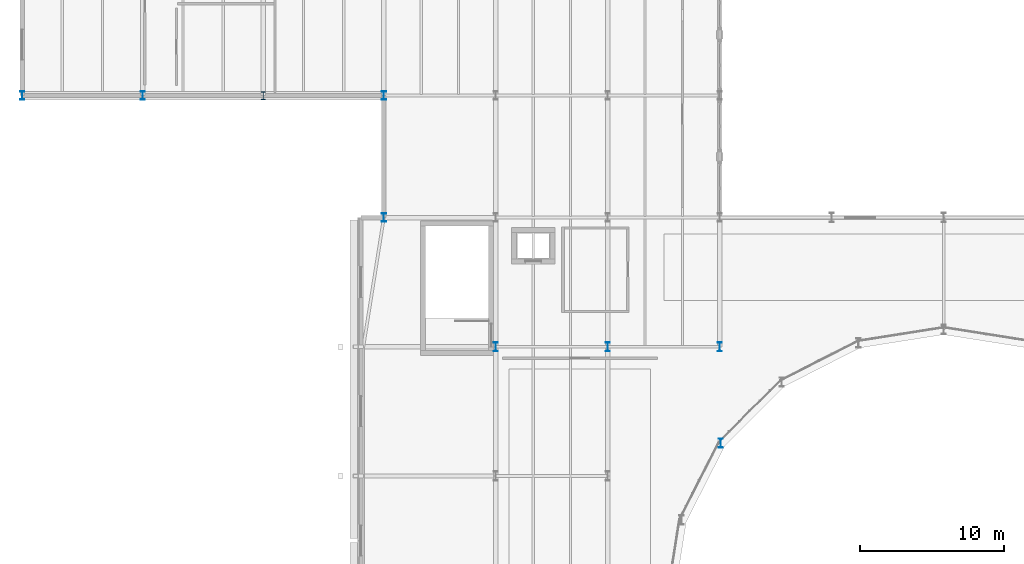
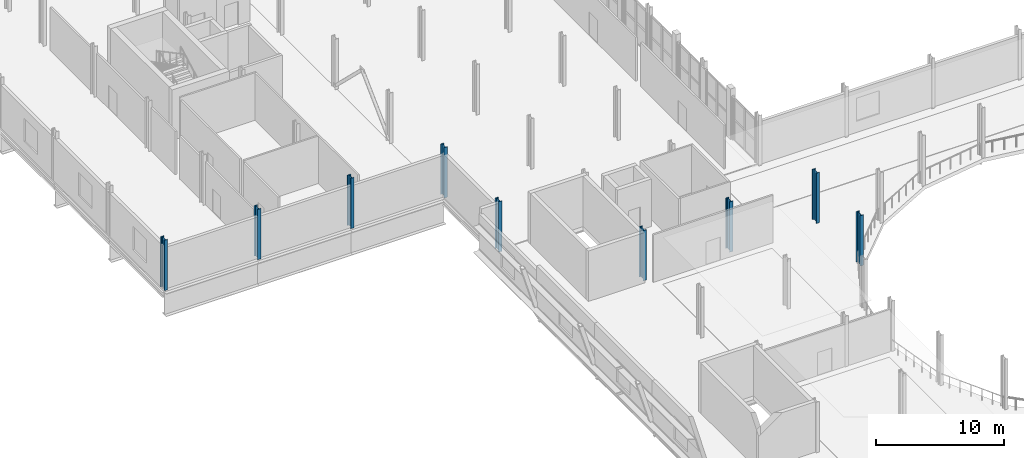
# One storey, part 2 of 63: 9 columns.
"""IFC4 building model written with IfcOpenShell, lengths in metres."""

import ifcopenshell
import ifcopenshell.guid

model = None  # the IFC model being written
_history = None  # IfcOwnerHistory: only IFC2X3 demands one
_inside = {}  # id of a spatial element -> (the spatial element, [elements in it])
_under = {}  # id of a project, library or spatial element -> (it, [spatial elements below it])
_declared = {}  # id of a project -> (the project, [libraries it declares])
_typed = {}  # id of a type object -> (the type object, [elements of that type])
_made_of = {}  # id of a material, layer set ... -> (it, [elements and type objects made of it])


def new_model(schema):
    """Start an empty IFC model of exactly this schema.

    Asked for "IFC4X3", IfcOpenShell would pick the latest addendum, in which some entities
    have other attributes; the version numbers below select the first issue.
    IFC2X3 requires an IfcOwnerHistory on every rooted entity: one is made here for all.
    """
    global model, _history
    if schema == "IFC4X3":
        model = ifcopenshell.file(schema_version=(4, 3, 0, 0))
    else:
        model = ifcopenshell.file(schema=schema)
    _inside.clear()
    _under.clear()
    _declared.clear()
    _typed.clear()
    _made_of.clear()
    _history = None
    if model.schema == "IFC2X3":
        org = make("IfcOrganization", Name="unknown")
        user = make(
            "IfcPersonAndOrganization",
            ThePerson=make("IfcPerson", FamilyName="unknown"),
            TheOrganization=org,
        )
        app = make(
            "IfcApplication",
            ApplicationDeveloper=org,
            Version="unknown",
            ApplicationFullName="unknown",
            ApplicationIdentifier="unknown",
        )
        _history = make(
            "IfcOwnerHistory",
            OwningUser=user,
            OwningApplication=app,
            ChangeAction="ADDED",
            CreationDate=0,
        )
    return model


def make(cls, **values):
    """One entity of the class cls with the attributes given. An attribute that is None is left unset."""
    return model.create_entity(
        cls, **{name: value for name, value in values.items() if value is not None}
    )


def rooted(cls, **values):
    """An entity with a GlobalId (a new one), such as an element, a storey or a relation."""
    return make(cls, GlobalId=ifcopenshell.guid.new(), OwnerHistory=_history, **values)


def si_unit(unit_type, name, prefix=None):
    """IfcSIUnit, for example si_unit("LENGTHUNIT", "METRE", prefix="MILLI")."""
    return make("IfcSIUnit", UnitType=unit_type, Prefix=prefix, Name=name)


def assignment(units):
    """IfcUnitAssignment: the units of a project."""
    return None if units is None else make("IfcUnitAssignment", Units=units)


def point(xyz):
    """IfcCartesianPoint."""
    return None if xyz is None else make("IfcCartesianPoint", Coordinates=xyz)


def direction(xyz):
    """IfcDirection."""
    return None if xyz is None else make("IfcDirection", DirectionRatios=xyz)


def frame(location, z_axis=None, x_axis=None):
    """IfcAxis2Placement3D, a coordinate frame: its origin and axes. An axis left out is left unset."""
    return make(
        "IfcAxis2Placement3D",
        Location=point(location),
        Axis=direction(z_axis),
        RefDirection=direction(x_axis),
    )


def frame_2d(location, x_axis=None):
    """IfcAxis2Placement2D, a coordinate frame in the plane: its origin and x axis."""
    return make(
        "IfcAxis2Placement2D", Location=point(location), RefDirection=direction(x_axis)
    )


def origin():
    """The frame at (0, 0, 0) with its axes left unset."""
    return frame((0.0, 0.0, 0.0))


def origin_2d():
    """The frame at (0, 0) in the plane with its x axis left unset."""
    return frame_2d((0.0, 0.0))


def place(relative_to, where):
    """IfcLocalPlacement: puts the frame where relative to a parent placement (None: the world)."""
    return make(
        "IfcLocalPlacement", PlacementRelTo=relative_to, RelativePlacement=where
    )


def context(
    kind, dimensions, precision=None, world=None, true_north=None, identifier=None
):
    """IfcGeometricRepresentationContext, for example the 3D "Model" context."""
    return make(
        "IfcGeometricRepresentationContext",
        ContextIdentifier=identifier,
        ContextType=kind,
        CoordinateSpaceDimension=dimensions,
        Precision=precision,
        WorldCoordinateSystem=world,
        TrueNorth=true_north,
    )


def subcontext(parent, identifier, kind, view, scale=None):
    """IfcGeometricRepresentationSubContext, for example "Body" below "Model"."""
    return make(
        "IfcGeometricRepresentationSubContext",
        ContextIdentifier=identifier,
        ContextType=kind,
        ParentContext=parent,
        TargetScale=scale,
        TargetView=view,
    )


def project(units=None, contexts=None):
    """IfcProject with its units and contexts."""
    return rooted(
        "IfcProject",
        Name="project",
        RepresentationContexts=contexts,
        UnitsInContext=assignment(units),
    )


def spatial(cls, under=None, at=None, **own):
    """A site, building, storey or space (cls), placed at a placement, below another one or the project."""
    s = rooted(cls, ObjectPlacement=at, **own)
    if under is not None:
        _under.setdefault(under.id(), (under, []))[1].append(s)
    return s


def profile(cls, at=None, kind="AREA", **sizes):
    """A parametric profile (cls). Its sizes go by their IFC names, for example OverallWidth=200.0."""
    return make(cls, ProfileType=kind, Position=at, **sizes)


def i_section(**sizes):
    """IfcIShapeProfileDef."""
    return profile("IfcIShapeProfileDef", **sizes)


def extrude(swept, where, along, depth):
    """IfcExtrudedAreaSolid: the profile swept, set in the frame where, extruded along a direction by depth."""
    return make(
        "IfcExtrudedAreaSolid",
        SweptArea=swept,
        Position=where,
        ExtrudedDirection=direction(along),
        Depth=depth,
    )


def shape(context_of_items, identifier, shape_type, items):
    """IfcShapeRepresentation: the items that make up one representation, for example the "Body"."""
    return make(
        "IfcShapeRepresentation",
        ContextOfItems=context_of_items,
        RepresentationIdentifier=identifier,
        RepresentationType=shape_type,
        Items=items,
    )


def material(Name=None, Category=None):
    """IfcMaterial."""
    return make("IfcMaterial", Name=Name, Category=Category)


def material_profile(
    of_material, cross_section, Name=None, Category=None, Priority=None
):
    """IfcMaterialProfile: a cross section and its material."""
    return make(
        "IfcMaterialProfile",
        Name=Name,
        Material=of_material,
        Profile=cross_section,
        Priority=Priority,
        Category=Category,
    )


def profile_set(profiles, Name=None, composite=None):
    """IfcMaterialProfileSet."""
    return make(
        "IfcMaterialProfileSet",
        Name=Name,
        MaterialProfiles=profiles,
        CompositeProfile=composite,
    )


def made_of(thing, what):
    """Note that an element or type object is made of a material, layer set ...; save() writes the relation."""
    if what is not None:
        _made_of.setdefault(what.id(), (what, []))[1].append(thing)
    return thing


def type_object(cls, material=None, **own):
    """A type object (cls), such as IfcWallType, which elements share."""
    return made_of(rooted(cls, **own), material)


def element(
    cls,
    number,
    at=None,
    inside=None,
    cuts=None,
    type_object=None,
    material=None,
    context=None,
    identifier="Body",
    shape_type=None,
    held_by="IfcProductDefinitionShape",
    body=None,
    shapes=None,
    **own,
):
    """One element of the class cls, such as IfcWall. Its Tag is "e" and its number.

    at: its placement. inside: the storey or other place that contains it. cuts: it is an
    opening in that element (IfcRelVoidsElement). A single representation is given by context,
    identifier, shape_type and body (its items); several are given by shapes. held_by: the class
    of the entity that holds the representations. save() writes the other relations.
    """
    e = rooted(cls, Tag="e%d" % number, ObjectPlacement=at, **own)
    if body is not None:
        shapes = [shape(context, identifier, shape_type, body)]
    if shapes is not None:
        e.Representation = make(held_by, Representations=shapes)
    if inside is not None:
        _inside.setdefault(inside.id(), (inside, []))[1].append(e)
    if cuts is not None:
        rooted(
            "IfcRelVoidsElement", RelatingBuildingElement=cuts, RelatedOpeningElement=e
        )
    if type_object is not None:
        _typed.setdefault(type_object.id(), (type_object, []))[1].append(e)
    return made_of(e, material)


def aggregate(whole, parts):
    """IfcRelAggregates: a whole, such as a stair, and the parts it consists of."""
    return rooted("IfcRelAggregates", RelatingObject=whole, RelatedObjects=parts)


def save(model, path):
    """Write the relations noted so far, then the file.

    IfcRelAggregates (storeys below a building ...), IfcRelContainedInSpatialStructure (elements
    in a storey), IfcRelDefinesByType, IfcRelAssociatesMaterial and IfcRelDeclares: one each for
    every whole, place, type object, material and project.
    """
    for whole, parts in _under.values():
        aggregate(whole, parts)
    for where, things in _inside.values():
        rooted(
            "IfcRelContainedInSpatialStructure",
            RelatedElements=things,
            RelatingStructure=where,
        )
    for kind, things in _typed.values():
        rooted("IfcRelDefinesByType", RelatedObjects=things, RelatingType=kind)
    for what, things in _made_of.values():
        rooted("IfcRelAssociatesMaterial", RelatedObjects=things, RelatingMaterial=what)
    for by, libraries in _declared.values():
        rooted("IfcRelDeclares", RelatingContext=by, RelatedDefinitions=libraries)
    model.write(path)


model = new_model("IFC4")

# Units and contexts
model_context = context("Model", 3, precision=1e-05, world=origin(), true_north=direction((0.0, 1.0)))
body_context = subcontext(model_context, "Body", "Model", "MODEL_VIEW")
ifc_project = project(units=[si_unit("LENGTHUNIT", "METRE"), si_unit("AREAUNIT", "SQUARE_METRE"), si_unit("VOLUMEUNIT", "CUBIC_METRE"), si_unit("PLANEANGLEUNIT", "RADIAN"), si_unit("MASSUNIT", "GRAM", prefix="KILO")], contexts=[model_context])

# Site, building, storey
site_placement = place(None, origin())
site = spatial("IfcSite", under=ifc_project, at=site_placement, CompositionType="ELEMENT")
building_placement = place(site_placement, origin())
building = spatial("IfcBuilding", under=site, at=building_placement, Name="Sefraquen Railside Congress Hotel", CompositionType="ELEMENT")
storey_placement = place(building_placement, frame((0.0, 0.0, 11.39990234375)))
storey = spatial("IfcBuildingStorey", under=building, at=storey_placement, Name="L02", CompositionType="ELEMENT", Elevation=11.39990234375)

# Columns
ifc_material = material(Name="Steel S355JR", Category="steel")
ifc_material_profile_1 = material_profile(ifc_material, i_section(OverallWidth=0.300048828125, OverallDepth=0.550048828125, WebThickness=0.014892578125, FlangeThickness=0.029052734375, FilletRadius=0.027099609375, at=origin_2d()), Name="HEB 550")
ifc_profile_set_1 = profile_set([ifc_material_profile_1], Name="Steel S355JR")
column_type_1 = type_object("IfcColumnType", Name="TC-HEB-550", PredefinedType="COLUMN", material=ifc_profile_set_1)
column_placement = place(storey_placement, frame((16.800048828125, 62.5, 0.0), z_axis=(0.0, 0.0, 1.0), x_axis=(1.0, 0.0, 0.0)))
element("IfcColumn", 1, at=column_placement, inside=storey, type_object=column_type_1, Name="Structural column 3-H L02", PredefinedType="COLUMN", context=body_context, shape_type="SweptSolid", body=[
    extrude(i_section(OverallWidth=0.300048828125, OverallDepth=0.550048828125, WebThickness=0.014892578125, FlangeThickness=0.029052734375, FilletRadius=0.027099609375, at=origin_2d()), origin(), (0.0, 0.0, 1.0), 4.800048828125),
])
ifc_material_profile_2 = material_profile(ifc_material, i_section(OverallWidth=0.300048828125, OverallDepth=0.60009765625, WebThickness=0.015380859375, FlangeThickness=0.030029296875, FilletRadius=0.027099609375, at=origin_2d()), Name="HEB 600")
ifc_profile_set_2 = profile_set([ifc_material_profile_2], Name="Steel S355JR")
column_type_2 = type_object("IfcColumnType", Name="TC-HEB-600", PredefinedType="COLUMN", material=ifc_profile_set_2)
for number, where, z_axis, x_axis, name in (
    (2, (0.0, 62.5, 0.0), (0.0, 0.0, 1.0), (1.0, 0.0, 0.0), "Structural column 1-H L02"),
    (3, (8.39990234375, 62.5, 0.0), (0.0, 0.0, 1.0), (1.0, 0.0, 0.0), "Structural column 2-H L02"),
    (4, (25.199951171875, 62.5, 0.0), (0.0, 0.0, 1.0), (1.0, 0.0, 0.0), "Structural column 4-H L02"),
    (5, (25.199951171875, 54.0, 0.0), (0.0, 0.0, 1.0), (1.0, 0.0, 0.0), "Structural column 4-G L02"),
):
    element("IfcColumn", number, at=place(storey_placement, frame(where, z_axis=z_axis, x_axis=x_axis)), inside=storey, type_object=column_type_2, Name=name, PredefinedType="COLUMN", context=body_context, shape_type="SweptSolid", body=[
        extrude(i_section(OverallWidth=0.300048828125, OverallDepth=0.60009765625, WebThickness=0.015380859375, FlangeThickness=0.030029296875, FilletRadius=0.027099609375, at=origin_2d()), origin(), (0.0, 0.0, 1.0), 4.800048828125),
    ])
ifc_material_profile_3 = material_profile(ifc_material, i_section(OverallWidth=0.300048828125, OverallDepth=0.64990234375, WebThickness=0.01611328125, FlangeThickness=0.031005859375, FilletRadius=0.027099609375, at=origin_2d()), Name="HEB 650")
ifc_profile_set_3 = profile_set([ifc_material_profile_3], Name="Steel S355JR")
column_type_3 = type_object("IfcColumnType", Name="TC-HEB-650", PredefinedType="COLUMN", material=ifc_profile_set_3)
for number, where, z_axis, x_axis, name in (
    (6, (33.0, 45.0, 0.0), (0.0, 0.0, 1.0), (1.0, 0.0, 0.0), "Structural column 5-F L02"),
    (7, (40.800048828125, 45.0, 0.0), (0.0, 0.0, 1.0), (1.0, 0.0, 0.0), "Structural column 6-F L02"),
    (8, (48.60009765625, 45.0, 0.0), (0.0, 0.0, 1.0), (1.0, 0.0, 0.0), "Structural column 7-F L02"),
    (9, (48.6669921875, 38.285400390625, 0.0), (0.0, 0.0, 1.0), (1.0, 0.0, 0.0), "Structural column DRM-09 L02"),
):
    element("IfcColumn", number, at=place(storey_placement, frame(where, z_axis=z_axis, x_axis=x_axis)), inside=storey, type_object=column_type_3, Name=name, PredefinedType="COLUMN", context=body_context, shape_type="SweptSolid", body=[
        extrude(i_section(OverallWidth=0.300048828125, OverallDepth=0.64990234375, WebThickness=0.01611328125, FlangeThickness=0.031005859375, FilletRadius=0.027099609375, at=origin_2d()), origin(), (0.0, 0.0, 1.0), 4.800048828125),
    ])

save(model, "model.ifc")
